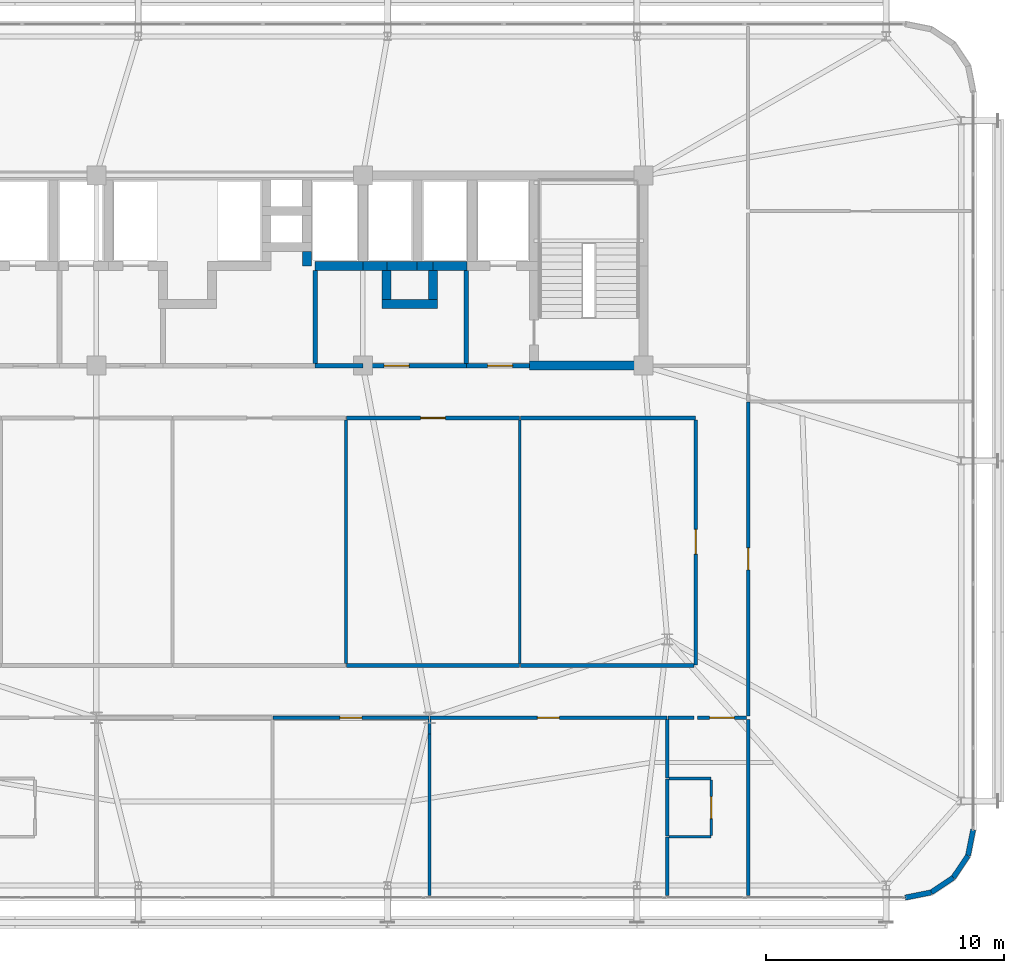
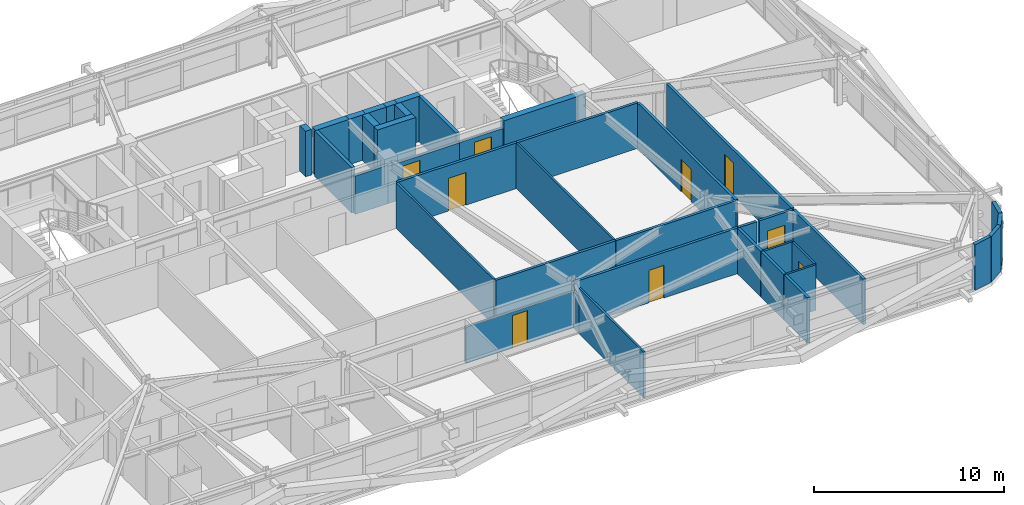
# One storey, part 54 of 58: 40 walls, 9 doors, 9 openings.
"""IFC4 building model written with IfcOpenShell, lengths in metres."""

from ifc_helpers import new_model, si_unit, direction, frame, frame_2d, origin, place, context, subcontext, project, spatial, rectangle, extrude, source, transform, mapped, material, layer, layer_set, type_object, element, fill, save


model = new_model("IFC4")

# Units and contexts
model_context = context("Model", 3, precision=1e-05, world=origin(), true_north=direction((0.0, 1.0)))
body_context = subcontext(model_context, "Body", "Model", "MODEL_VIEW")
ifc_project = project(units=[si_unit("LENGTHUNIT", "METRE"), si_unit("AREAUNIT", "SQUARE_METRE"), si_unit("VOLUMEUNIT", "CUBIC_METRE"), si_unit("PLANEANGLEUNIT", "RADIAN"), si_unit("MASSUNIT", "GRAM", prefix="KILO")], contexts=[model_context])

# Site, building, storey
site_placement = place(None, origin())
site = spatial("IfcSite", under=ifc_project, at=site_placement, CompositionType="ELEMENT")
building_placement = place(site_placement, origin())
building = spatial("IfcBuilding", under=site, at=building_placement, Name="Taldren Reach Tower", CompositionType="ELEMENT")
storey_placement = place(building_placement, frame((0.0, 0.0, 35.699951171875)))
storey = spatial("IfcBuildingStorey", under=building, at=storey_placement, Name="L10", CompositionType="ELEMENT", Elevation=35.699951171875)

# Walls
ifc_material_1 = material(Name="Pale Champagne Anodised Aluminium Cladding", Category="aluminium")
ifc_layer_1 = layer(ifc_material_1, 0.04, Name="Pale Champagne Anodised Aluminium Cladding", Category="aluminium")
ifc_material_2 = material(Name="Mineral Wool Acoustic Insulation", Category="insulation")
ifc_layer_2 = layer(ifc_material_2, 0.06, Name="Mineral Wool Acoustic Insulation", Category="insulation")
ifc_material_3 = material(Name="Steel Gr 350 (C350L0)", Category="steel")
ifc_layer_3 = layer(ifc_material_3, 0.12, Name="Steel Gr 350 (C350L0)", Category="steel")
ifc_layer_set_1 = layer_set([ifc_layer_1, ifc_layer_2, ifc_layer_3], Name="Pale Champagne Aluminium Cladding and Steel Gr 350 Stud Framing")
wall_type_1 = type_object("IfcWallType", Name="EW-CRN-220", PredefinedType="SOLIDWALL", material=ifc_layer_set_1)
shared_shape_1 = source(origin(), body_context, "Body", "SweptSolid", [
    extrude(rectangle(XDim=1.115966796875, YDim=0.219970703125, at=frame_2d((0.55810546875, 0.0))), origin(), (0.0, 0.0, 1.0), 2.929931640625),
])
for number, where, z_axis, x_axis, name in (
    (1, (62.0, 1.639892578125, 0.0), (0.0, 0.0, 1.0), (0.98077373103, 0.195148375659, 0.0), "Rounded-corner pale-metal facade wall L10-SE1"),
    (2, (63.094482421875, 1.857666015625, 0.0), (0.0, 0.0, 1.0), (0.83137650226, 0.555709556774, 0.0), "Rounded-corner pale-metal facade wall L10-SE2"),
    (3, (64.022216796875, 2.477783203125, 0.0), (0.0, 0.0, 1.0), (0.555709556774, 0.83137650226, 0.0), "Rounded-corner pale-metal facade wall L10-SE3"),
    (4, (64.642333984375, 3.405517578125, 0.0), (0.0, 0.0, 1.0), (0.195148375659, 0.98077373103, 0.0), "Rounded-corner pale-metal facade wall L10-SE4"),
):
    element("IfcWall", number, at=place(storey_placement, frame(where, z_axis=z_axis, x_axis=x_axis)), inside=storey, type_object=wall_type_1, Name=name, PredefinedType="SOLIDWALL", context=body_context, shape_type="MappedRepresentation", body=[
        mapped(shared_shape_1, transform((0.0, 0.0, 0.0), scale=1.0)),
    ])
ifc_material_4 = material(Name="Concrete S80 (80 MPa)", Category="concrete")
ifc_layer_4 = layer(ifc_material_4, 0.3798828125)
ifc_layer_set_2 = layer_set([ifc_layer_4], Name="Concrete S80 (80 MPa)")
wall_type_2 = type_object("IfcWallType", Name="IW-CORE-380", PredefinedType="SHEAR", material=ifc_layer_set_2)
shared_shape_2 = source(origin(), body_context, "Body", "SweptSolid", [
    extrude(rectangle(XDim=4.97998046875, YDim=0.3798828125, at=frame_2d((2.489990234375, 0.0))), origin(), (0.0, 0.0, 1.0), 2.929931640625),
])
wall_1_placement = place(storey_placement, frame((46.2099609375, 24.0, 0.0), z_axis=(0.0, 0.0, 1.0), x_axis=(1.0, 0.0, 0.0)))
element("IfcWall", 5, at=wall_1_placement, inside=storey, type_object=wall_type_2, Name="Rear Core Shear Wall W-INT-L10-010", PredefinedType="SHEAR", context=body_context, shape_type="MappedRepresentation", body=[
    mapped(shared_shape_2, transform((0.0, 0.0, 0.0), scale=1.0)),
])
ifc_material_5 = material(Name="Concrete S50 (50 MPa)", Category="concrete")
ifc_layer_5 = layer(ifc_material_5, 0.199951171875)
ifc_layer_set_3 = layer_set([ifc_layer_5], Name="Concrete S50 (50 MPa)")
wall_type_3 = type_object("IfcWallType", Name="IW-CORE-200", PredefinedType="SOLIDWALL", material=ifc_layer_set_3)
shared_shape_3 = source(origin(), body_context, "Body", "SweptSolid", [
    extrude(rectangle(XDim=3.909912109375, YDim=0.199951171875, at=frame_2d((1.955078125, 0.0))), origin(), (0.0, 0.0, 1.0), 2.929931640625),
])
for number, where, z_axis, x_axis, name in (
    (6, (43.550048828125, 28.010009765625, 0.0), (0.0, 0.0, 1.0), (0.0, -1.0, 0.0), "Rear Core Shear Wall W-INT-L10-013"),
    (7, (37.199951171875, 28.010009765625, 0.0), (0.0, 0.0, 1.0), (0.0, -1.0, 0.0), "Rear Core Shear Wall W-INT-L10-042"),
):
    element("IfcWall", number, at=place(storey_placement, frame(where, z_axis=z_axis, x_axis=x_axis)), inside=storey, type_object=wall_type_3, Name=name, PredefinedType="SOLIDWALL", context=body_context, shape_type="MappedRepresentation", body=[
        mapped(shared_shape_3, transform((0.0, 0.0, 0.0), scale=1.0)),
    ])

# Wall, opening, door
shared_shape_4 = source(origin(), body_context, "Body", "SweptSolid", [
    extrude(rectangle(XDim=2.659912109375, YDim=0.199951171875, at=frame_2d((1.330078125, 0.0))), origin(), (0.0, 0.0, 1.0), 2.39697265625),
])
wall_2_placement = place(storey_placement, frame((43.550048828125, 24.0, 0.0), z_axis=(0.0, 0.0, 1.0), x_axis=(1.0, 0.0, 0.0)))
wall_2 = element("IfcWall", 8, at=wall_2_placement, inside=storey, type_object=wall_type_3, Name="Rear Core Shear Wall W-INT-L10-014", PredefinedType="SOLIDWALL", context=body_context, shape_type="MappedRepresentation", body=[
    mapped(shared_shape_4, transform((0.0, 0.0, 0.0), scale=1.0)),
])
shared_shape_5 = source(origin(), body_context, "Body", "SweptSolid", [
    extrude(rectangle(XDim=1.050048828125, YDim=2.10009765625, at=frame_2d((0.52490234375, 1.050048828125))), frame((0.0, 0.10986328125, 0.0), z_axis=(0.0, -1.0, 0.0), x_axis=(1.0, 0.0, 0.0)), (0.0, 0.0, 1.0), 0.219970703125),
])
opening_1_placement = place(wall_2_placement, frame((0.89990234375, 0.0, 0.0)))
opening_1 = element("IfcOpeningElement", 9, at=opening_1_placement, cuts=wall_2, Name="Opening DF-105", PredefinedType="OPENING", context=body_context, shape_type="MappedRepresentation", body=[
    mapped(shared_shape_5, transform((0.0, 0.0, 0.0), scale=1.0)),
])
ifc_material_6 = material(Name="Fire-Rated Care and Stair Exit Door")
door_type_1 = type_object("IfcDoorType", Name="ID-FIRE-105", OperationType="NOTDEFINED", PredefinedType="DOOR", material=ifc_material_6)
shared_shape_6 = source(origin(), body_context, "Body", "SweptSolid", [
    extrude(rectangle(XDim=1.050048828125, YDim=2.10009765625, at=frame_2d((0.52490234375, 1.050048828125))), frame((0.0, 0.02490234375, 0.0), z_axis=(0.0, -1.0, 0.0), x_axis=(1.0, 0.0, 0.0)), (0.0, 0.0, 1.0), 0.050048828125),
])
door_1_placement = place(opening_1_placement, origin())
door_1 = element("IfcDoor", 10, at=door_1_placement, inside=storey, type_object=door_type_1, Name="Interior Door DR-L10-004", OperationType="SINGLE_SWING_LEFT", OverallHeight=2.10009765625, OverallWidth=1.050048828125, PredefinedType="DOOR", context=body_context, shape_type="MappedRepresentation", body=[
    mapped(shared_shape_6, transform((0.0, 0.0, 0.0), scale=1.0)),
])
fill(opening_1, door_1)

# Walls
shared_shape_7 = source(origin(), body_context, "Body", "SweptSolid", [
    extrude(rectangle(XDim=1.219970703125, YDim=0.3798828125, at=frame_2d((0.60986328125, 0.0))), origin(), (0.0, 0.0, 1.0), 2.929931640625),
])
for number, where, z_axis, x_axis, name in (
    (11, (40.199951171875, 28.010009765625, 0.0), (0.0, 0.0, 1.0), (0.0, -1.0, 0.0), "Rear Core Shear Wall W-INT-L10-027"),
    (12, (42.14990234375, 26.7900390625, 0.0), (0.0, 0.0, 1.0), (0.0, 1.0, 0.0), "Rear Core Shear Wall W-INT-L10-028"),
):
    element("IfcWall", number, at=place(storey_placement, frame(where, z_axis=z_axis, x_axis=x_axis)), inside=storey, type_object=wall_type_2, Name=name, PredefinedType="SHEAR", context=body_context, shape_type="MappedRepresentation", body=[
        mapped(shared_shape_7, transform((0.0, 0.0, 0.0), scale=1.0)),
    ])
shared_shape_8 = source(origin(), body_context, "Body", "SweptSolid", [
    extrude(rectangle(XDim=1.320068359375, YDim=0.3798828125, at=frame_2d((0.66015625, 0.0))), origin(), (0.0, 0.0, 1.0), 2.929931640625),
])
wall_3_placement = place(storey_placement, frame((41.52001953125, 28.199951171875, 0.0), z_axis=(0.0, 0.0, 1.0), x_axis=(-1.0, 0.0, 0.0)))
element("IfcWall", 13, at=wall_3_placement, inside=storey, type_object=wall_type_2, Name="Rear Core Shear Wall W-INT-L10-024", PredefinedType="SHEAR", context=body_context, shape_type="MappedRepresentation", body=[
    mapped(shared_shape_8, transform((0.0, 0.0, 0.0), scale=1.0)),
])
shared_shape_9 = source(origin(), body_context, "Body", "SweptSolid", [
    extrude(rectangle(XDim=0.669921875, YDim=0.3798828125, at=frame_2d((0.3349609375, 0.0))), origin(), (0.0, 0.0, 1.0), 2.929931640625),
])
wall_4_placement = place(storey_placement, frame((42.14990234375, 28.199951171875, 0.0), z_axis=(0.0, 0.0, 1.0), x_axis=(-1.0, 0.0, 0.0)))
element("IfcWall", 14, at=wall_4_placement, inside=storey, type_object=wall_type_2, Name="Rear Core Shear Wall W-INT-L10-025", PredefinedType="SHEAR", context=body_context, shape_type="MappedRepresentation", body=[
    mapped(shared_shape_9, transform((0.0, 0.0, 0.0), scale=1.0)),
])
shared_shape_10 = source(origin(), body_context, "Body", "SweptSolid", [
    extrude(rectangle(XDim=2.330078125, YDim=0.3798828125, at=frame_2d((1.1650390625, 0.0))), origin(), (0.0, 0.0, 1.0), 2.929931640625),
])
wall_5_placement = place(storey_placement, frame((40.010009765625, 26.60009765625, 0.0), z_axis=(0.0, 0.0, 1.0), x_axis=(1.0, 0.0, 0.0)))
element("IfcWall", 15, at=wall_5_placement, inside=storey, type_object=wall_type_2, Name="Rear Core Shear Wall W-INT-L10-026", PredefinedType="SHEAR", context=body_context, shape_type="MappedRepresentation", body=[
    mapped(shared_shape_10, transform((0.0, 0.0, 0.0), scale=1.0)),
])
shared_shape_11 = source(origin(), body_context, "Body", "SweptSolid", [
    extrude(rectangle(XDim=0.610107421875, YDim=0.3798828125, at=frame_2d((0.30517578125, 0.0))), origin(), (0.0, 0.0, 1.0), 2.929931640625),
])
wall_6_placement = place(storey_placement, frame((36.85009765625, 28.81005859375, 0.0), z_axis=(0.0, 0.0, 1.0), x_axis=(0.0, -1.0, 0.0)))
element("IfcWall", 16, at=wall_6_placement, inside=storey, type_object=wall_type_2, Name="Rear Core Shear Wall W-INT-L10-037", PredefinedType="SHEAR", context=body_context, shape_type="MappedRepresentation", body=[
    mapped(shared_shape_11, transform((0.0, 0.0, 0.0), scale=1.0)),
])
shared_shape_12 = source(origin(), body_context, "Body", "SweptSolid", [
    extrude(rectangle(XDim=2.02001953125, YDim=0.3798828125, at=frame_2d((1.010009765625, 0.0))), origin(), (0.0, 0.0, 1.0), 2.929931640625),
])
wall_7_placement = place(storey_placement, frame((37.179931640625, 28.199951171875, 0.0), z_axis=(0.0, 0.0, 1.0), x_axis=(1.0, 0.0, 0.0)))
element("IfcWall", 17, at=wall_7_placement, inside=storey, type_object=wall_type_2, Name="Rear Core Shear Wall W-INT-L10-038", PredefinedType="SHEAR", context=body_context, shape_type="MappedRepresentation", body=[
    mapped(shared_shape_12, transform((0.0, 0.0, 0.0), scale=1.0)),
])
shared_shape_13 = source(origin(), body_context, "Body", "SweptSolid", [
    extrude(rectangle(XDim=1.02001953125, YDim=0.3798828125, at=frame_2d((0.510009765625, 0.0))), origin(), (0.0, 0.0, 1.0), 2.929931640625),
])
wall_8_placement = place(storey_placement, frame((39.199951171875, 28.199951171875, 0.0), z_axis=(0.0, 0.0, 1.0), x_axis=(1.0, 0.0, 0.0)))
element("IfcWall", 18, at=wall_8_placement, inside=storey, type_object=wall_type_2, Name="Rear Core Shear Wall W-INT-L10-040", PredefinedType="SHEAR", context=body_context, shape_type="MappedRepresentation", body=[
    mapped(shared_shape_13, transform((0.0, 0.0, 0.0), scale=1.0)),
])
shared_shape_14 = source(origin(), body_context, "Body", "SweptSolid", [
    extrude(rectangle(XDim=1.440185546875, YDim=0.3798828125, at=frame_2d((0.72021484375, 0.0))), origin(), (0.0, 0.0, 1.0), 2.929931640625),
])
wall_9_placement = place(storey_placement, frame((42.1298828125, 28.199951171875, 0.0), z_axis=(0.0, 0.0, 1.0), x_axis=(1.0, 0.0, 0.0)))
element("IfcWall", 19, at=wall_9_placement, inside=storey, type_object=wall_type_2, Name="Rear Core Shear Wall W-INT-L10-041", PredefinedType="SHEAR", context=body_context, shape_type="MappedRepresentation", body=[
    mapped(shared_shape_14, transform((0.0, 0.0, 0.0), scale=1.0)),
])

# Wall, opening, door
shared_shape_15 = source(origin(), body_context, "Body", "SweptSolid", [
    extrude(rectangle(XDim=4.35009765625, YDim=0.199951171875, at=frame_2d((2.175048828125, 0.0))), origin(), (0.0, 0.0, 1.0), 2.39697265625),
])
wall_10_placement = place(storey_placement, frame((43.550048828125, 24.0, 0.0), z_axis=(0.0, 0.0, 1.0), x_axis=(-1.0, 0.0, 0.0)))
wall_10 = element("IfcWall", 20, at=wall_10_placement, inside=storey, type_object=wall_type_3, Name="Rear Core Shear Wall W-INT-L10-044", PredefinedType="SOLIDWALL", context=body_context, shape_type="MappedRepresentation", body=[
    mapped(shared_shape_15, transform((0.0, 0.0, 0.0), scale=1.0)),
])
opening_2_placement = place(wall_10_placement, frame((2.39990234375, 0.0, 0.0)))
opening_2 = element("IfcOpeningElement", 21, at=opening_2_placement, cuts=wall_10, Name="Opening DF-105", PredefinedType="OPENING", context=body_context, shape_type="MappedRepresentation", body=[
    mapped(shared_shape_5, transform((0.0, 0.0, 0.0), scale=1.0)),
])
door_2_placement = place(opening_2_placement, frame((1.050048828125, 0.0, 0.0), z_axis=(0.0, 0.0, 1.0), x_axis=(-1.0, 0.0, 0.0)))
door_2 = element("IfcDoor", 22, at=door_2_placement, inside=storey, type_object=door_type_1, Name="Interior Door DR-L10-007", OperationType="SINGLE_SWING_RIGHT", OverallHeight=2.10009765625, OverallWidth=1.050048828125, PredefinedType="DOOR", context=body_context, shape_type="MappedRepresentation", body=[
    mapped(shared_shape_6, transform((0.0, 0.0, 0.0), scale=1.0)),
])
fill(opening_2, door_2)

# Wall
shared_shape_16 = source(origin(), body_context, "Body", "SweptSolid", [
    extrude(rectangle(XDim=2.0, YDim=0.199951171875, at=frame_2d((1.0, 0.0))), origin(), (0.0, 0.0, 1.0), 2.469970703125),
])
wall_11_placement = place(storey_placement, frame((39.199951171875, 24.0, 0.0), z_axis=(0.0, 0.0, 1.0), x_axis=(-1.0, 0.0, 0.0)))
element("IfcWall", 23, at=wall_11_placement, inside=storey, type_object=wall_type_3, Name="Rear Core Shear Wall W-INT-L10-044 part 2", PredefinedType="SOLIDWALL", context=body_context, shape_type="MappedRepresentation", body=[
    mapped(shared_shape_16, transform((0.0, 0.0, 0.0), scale=1.0)),
])

# Wall, opening, door
ifc_material_7 = material(Name="Fire-Rated Acoustic Plasterboard Stud Wall", Category="gypsum")
ifc_layer_6 = layer(ifc_material_7, 0.159912109375)
ifc_layer_set_4 = layer_set([ifc_layer_6], Name="Fire-Rated Acoustic Plasterboard Stud Wall")
wall_type_4 = type_object("IfcWallType", Name="IW-FIRE-160", PredefinedType="PARTITIONING", material=ifc_layer_set_4)
shared_shape_17 = source(origin(), body_context, "Body", "SweptSolid", [
    extrude(rectangle(XDim=10.2998046875, YDim=0.159912109375, at=frame_2d((5.14990234375, 0.0))), origin(), (0.0, 0.0, 1.0), 2.929931640625),
])
wall_12_placement = place(storey_placement, frame((53.199951171875, 11.420166015625, 0.0), z_axis=(0.0, 0.0, 1.0), x_axis=(0.0, 1.0, 0.0)))
wall_12 = element("IfcWall", 24, at=wall_12_placement, inside=storey, type_object=wall_type_4, Name="Interior Partition Wall W-INT-L10-050", PredefinedType="PARTITIONING", context=body_context, shape_type="MappedRepresentation", body=[
    mapped(shared_shape_17, transform((0.0, 0.0, 0.0), scale=1.0)),
])
shared_shape_18 = source(origin(), body_context, "Body", "SweptSolid", [
    extrude(rectangle(XDim=1.050048828125, YDim=2.10009765625, at=frame_2d((0.52490234375, 1.050048828125))), frame((0.0, 0.08984375, 0.0), z_axis=(0.0, -1.0, 0.0), x_axis=(1.0, 0.0, 0.0)), (0.0, 0.0, 1.0), 0.179931640625),
])
opening_3_placement = place(wall_12_placement, frame((4.65478515625, 0.0, 0.0)))
opening_3 = element("IfcOpeningElement", 25, at=opening_3_placement, cuts=wall_12, Name="Opening DF-105", PredefinedType="OPENING", context=body_context, shape_type="MappedRepresentation", body=[
    mapped(shared_shape_18, transform((0.0, 0.0, 0.0), scale=1.0)),
])
door_3_placement = place(opening_3_placement, origin())
door_3 = element("IfcDoor", 26, at=door_3_placement, inside=storey, type_object=door_type_1, Name="Interior Door DR-L10-012", OperationType="SINGLE_SWING_LEFT", OverallHeight=2.10009765625, OverallWidth=1.050048828125, PredefinedType="DOOR", context=body_context, shape_type="MappedRepresentation", body=[
    mapped(shared_shape_6, transform((0.0, 0.0, 0.0), scale=1.0)),
])
fill(opening_3, door_3)

shared_shape_19 = source(origin(), body_context, "Body", "SweptSolid", [
    extrude(rectangle(XDim=2.0400390625, YDim=0.159912109375, at=frame_2d((1.02001953125, 0.0))), origin(), (0.0, 0.0, 1.0), 2.929931640625),
])
wall_13_placement = place(storey_placement, frame((55.320068359375, 9.199951171875, 0.0), z_axis=(0.0, 0.0, 1.0), x_axis=(-1.0, 0.0, 0.0)))
wall_13 = element("IfcWall", 27, at=wall_13_placement, inside=storey, type_object=wall_type_4, Name="Interior Partition Wall W-INT-L10-053", PredefinedType="PARTITIONING", context=body_context, shape_type="MappedRepresentation", body=[
    mapped(shared_shape_19, transform((0.0, 0.0, 0.0), scale=1.0)),
])
opening_4_placement = place(wall_13_placement, frame((0.4951171875, 0.0, 0.0)))
opening_4 = element("IfcOpeningElement", 28, at=opening_4_placement, cuts=wall_13, Name="Opening DF-105", PredefinedType="OPENING", context=body_context, shape_type="MappedRepresentation", body=[
    mapped(shared_shape_18, transform((0.0, 0.0, 0.0), scale=1.0)),
])
door_4_placement = place(opening_4_placement, origin())
door_4 = element("IfcDoor", 29, at=door_4_placement, inside=storey, type_object=door_type_1, Name="Interior Door DR-L10-014", OperationType="SINGLE_SWING_LEFT", OverallHeight=2.10009765625, OverallWidth=1.050048828125, PredefinedType="DOOR", context=body_context, shape_type="MappedRepresentation", body=[
    mapped(shared_shape_6, transform((0.0, 0.0, 0.0), scale=1.0)),
])
fill(opening_4, door_4)

# Wall
shared_shape_20 = source(origin(), body_context, "Body", "SweptSolid", [
    extrude(rectangle(XDim=1.099853515625, YDim=0.159912109375, at=frame_2d((0.5498046875, 0.0))), origin(), (0.0, 0.0, 1.0), 2.929931640625),
])
wall_14_placement = place(storey_placement, frame((53.1201171875, 9.199951171875, 0.0), z_axis=(0.0, 0.0, 1.0), x_axis=(-1.0, 0.0, 0.0)))
element("IfcWall", 30, at=wall_14_placement, inside=storey, type_object=wall_type_4, Name="Interior Partition Wall W-INT-L10-073", PredefinedType="PARTITIONING", context=body_context, shape_type="MappedRepresentation", body=[
    mapped(shared_shape_20, transform((0.0, 0.0, 0.0), scale=1.0)),
])

# Wall, opening, door
ifc_material_8 = material(Name="Insulated Residential Stud Partition", Category="gypsum")
ifc_layer_7 = layer(ifc_material_8, 0.1201171875)
ifc_layer_set_5 = layer_set([ifc_layer_7], Name="Insulated Residential Stud Partition")
wall_type_5 = type_object("IfcWallType", Name="IW-PART-120", PredefinedType="PARTITIONING", material=ifc_layer_set_5)
shared_shape_21 = source(origin(), body_context, "Body", "SweptSolid", [
    extrude(rectangle(XDim=2.330078125, YDim=0.1201171875, at=frame_2d((1.1650390625, 0.0))), origin(), (0.0, 0.0, 1.0), 2.929931640625),
])
wall_15_placement = place(storey_placement, frame((53.85009765625, 4.260009765625, 0.0), z_axis=(0.0, 0.0, 1.0), x_axis=(0.0, 1.0, 0.0)))
wall_15 = element("IfcWall", 31, at=wall_15_placement, inside=storey, type_object=wall_type_5, Name="Interior Partition Wall W-INT-L10-097", PredefinedType="PARTITIONING", context=body_context, shape_type="MappedRepresentation", body=[
    mapped(shared_shape_21, transform((0.0, 0.0, 0.0), scale=1.0)),
])
shared_shape_22 = source(origin(), body_context, "Body", "SweptSolid", [
    extrude(rectangle(XDim=0.919921875, YDim=2.10009765625, at=frame_2d((0.4599609375, 1.050048828125))), frame((0.0, 0.070068359375, 0.0), z_axis=(0.0, -1.0, 0.0), x_axis=(1.0, 0.0, 0.0)), (0.0, 0.0, 1.0), 0.14013671875),
])
opening_5_placement = place(wall_15_placement, frame((0.705078125, 0.0, 0.0)))
opening_5 = element("IfcOpeningElement", 32, at=opening_5_placement, cuts=wall_15, Name="Opening DI-092", PredefinedType="OPENING", context=body_context, shape_type="MappedRepresentation", body=[
    mapped(shared_shape_22, transform((0.0, 0.0, 0.0), scale=1.0)),
])
ifc_material_9 = material(Name="Solid-Core Timber Suite Door", Category="wood")
door_type_2 = type_object("IfcDoorType", Name="ID-INT-092", OperationType="NOTDEFINED", PredefinedType="DOOR", material=ifc_material_9)
shared_shape_23 = source(origin(), body_context, "Body", "SweptSolid", [
    extrude(rectangle(XDim=0.919921875, YDim=2.10009765625, at=frame_2d((0.4599609375, 1.050048828125))), frame((0.0, 0.02490234375, 0.0), z_axis=(0.0, -1.0, 0.0), x_axis=(1.0, 0.0, 0.0)), (0.0, 0.0, 1.0), 0.050048828125),
])
door_5_placement = place(opening_5_placement, origin())
door_5 = element("IfcDoor", 33, at=door_5_placement, inside=storey, type_object=door_type_2, Name="Interior Door DR-L10-029", OperationType="SINGLE_SWING_RIGHT", OverallHeight=2.10009765625, OverallWidth=0.919921875, PredefinedType="DOOR", context=body_context, shape_type="MappedRepresentation", body=[
    mapped(shared_shape_23, transform((0.0, 0.0, 0.0), scale=1.0)),
])
fill(opening_5, door_5)

# Walls
shared_shape_24 = source(origin(), body_context, "Body", "SweptSolid", [
    extrude(rectangle(XDim=1.749755859375, YDim=0.1201171875, at=frame_2d((0.875, 0.0))), origin(), (0.0, 0.0, 1.0), 2.929931640625),
])
for number, where, z_axis, x_axis, name in (
    (34, (52.080078125, 4.199951171875, 0.0), (0.0, 0.0, 1.0), (1.0, 0.0, 0.0), "Interior Partition Wall W-INT-L10-098"),
    (35, (53.829833984375, 6.64990234375, 0.0), (0.0, 0.0, 1.0), (-1.0, 0.0, 0.0), "Interior Partition Wall W-INT-L10-099"),
):
    element("IfcWall", number, at=place(storey_placement, frame(where, z_axis=z_axis, x_axis=x_axis)), inside=storey, type_object=wall_type_5, Name=name, PredefinedType="PARTITIONING", context=body_context, shape_type="MappedRepresentation", body=[
        mapped(shared_shape_24, transform((0.0, 0.0, 0.0), scale=1.0)),
    ])
shared_shape_25 = source(origin(), body_context, "Body", "SweptSolid", [
    extrude(rectangle(XDim=2.40966796875, YDim=0.159912109375, at=frame_2d((1.204833984375, 0.0))), origin(), (0.0, 0.0, 1.0), 2.929931640625),
])
wall_16_placement = place(storey_placement, frame((52.0, 6.6298828125, 0.0), z_axis=(0.0, 0.0, 1.0), x_axis=(0.0, -1.0, 0.0)))
element("IfcWall", 36, at=wall_16_placement, inside=storey, type_object=wall_type_4, Name="Interior Partition Wall W-INT-L10-096", PredefinedType="PARTITIONING", context=body_context, shape_type="MappedRepresentation", body=[
    mapped(shared_shape_25, transform((0.0, 0.0, 0.0), scale=1.0)),
])
shared_shape_26 = source(origin(), body_context, "Body", "SweptSolid", [
    extrude(rectangle(XDim=7.385986328125, YDim=0.159912109375, at=frame_2d((3.69287109375, 0.0))), origin(), (0.0, 0.0, 1.0), 2.929931640625),
])
wall_17_placement = place(storey_placement, frame((55.39990234375, 9.117919921875, 0.0), z_axis=(0.0, 0.0, 1.0), x_axis=(0.0, -1.0, 0.0)))
element("IfcWall", 37, at=wall_17_placement, inside=storey, type_object=wall_type_4, Name="Interior Partition Wall W-INT-L10-100", PredefinedType="PARTITIONING", context=body_context, shape_type="MappedRepresentation", body=[
    mapped(shared_shape_26, transform((0.0, 0.0, 0.0), scale=1.0)),
])
shared_shape_27 = source(origin(), body_context, "Body", "SweptSolid", [
    extrude(rectangle(XDim=2.44970703125, YDim=0.159912109375, at=frame_2d((1.224853515625, 0.0))), origin(), (0.0, 0.0, 1.0), 2.929931640625),
])
wall_18_placement = place(storey_placement, frame((52.0, 4.1796875, 0.0), z_axis=(0.0, 0.0, 1.0), x_axis=(0.0, -1.0, 0.0)))
element("IfcWall", 38, at=wall_18_placement, inside=storey, type_object=wall_type_4, Name="Interior Partition Wall W-INT-L10-094", PredefinedType="PARTITIONING", context=body_context, shape_type="MappedRepresentation", body=[
    mapped(shared_shape_27, transform((0.0, 0.0, 0.0), scale=1.0)),
])
shared_shape_28 = source(origin(), body_context, "Body", "SweptSolid", [
    extrude(rectangle(XDim=2.449951171875, YDim=0.159912109375, at=frame_2d((1.22509765625, 0.0))), origin(), (0.0, 0.0, 1.0), 2.929931640625),
])
wall_19_placement = place(storey_placement, frame((52.0, 9.1201171875, 0.0), z_axis=(0.0, 0.0, 1.0), x_axis=(0.0, -1.0, 0.0)))
element("IfcWall", 39, at=wall_19_placement, inside=storey, type_object=wall_type_4, Name="Interior Partition Wall W-INT-L10-095", PredefinedType="PARTITIONING", context=body_context, shape_type="MappedRepresentation", body=[
    mapped(shared_shape_28, transform((0.0, 0.0, 0.0), scale=1.0)),
])

# Wall, opening, door
shared_shape_29 = source(origin(), body_context, "Body", "SweptSolid", [
    extrude(rectangle(XDim=9.95947265625, YDim=0.159912109375, at=frame_2d((4.979736328125, 0.0))), origin(), (0.0, 0.0, 1.0), 2.929931640625),
])
wall_20_placement = place(storey_placement, frame((51.979736328125, 9.199951171875, 0.0), z_axis=(0.0, 0.0, 1.0), x_axis=(-1.0, 0.0, 0.0)))
wall_20 = element("IfcWall", 40, at=wall_20_placement, inside=storey, type_object=wall_type_4, Name="Interior Partition Wall W-INT-L10-072", PredefinedType="PARTITIONING", context=body_context, shape_type="MappedRepresentation", body=[
    mapped(shared_shape_29, transform((0.0, 0.0, 0.0), scale=1.0)),
])
shared_shape_30 = source(origin(), body_context, "Body", "SweptSolid", [
    extrude(rectangle(XDim=0.919921875, YDim=2.10009765625, at=frame_2d((0.4599609375, 1.050048828125))), frame((0.0, 0.08984375, 0.0), z_axis=(0.0, -1.0, 0.0), x_axis=(1.0, 0.0, 0.0)), (0.0, 0.0, 1.0), 0.179931640625),
])
opening_6_placement = place(wall_20_placement, frame((4.519775390625, 0.0, 0.0)))
opening_6 = element("IfcOpeningElement", 41, at=opening_6_placement, cuts=wall_20, Name="Opening DI-092", PredefinedType="OPENING", context=body_context, shape_type="MappedRepresentation", body=[
    mapped(shared_shape_30, transform((0.0, 0.0, 0.0), scale=1.0)),
])
door_6_placement = place(opening_6_placement, origin())
door_6 = element("IfcDoor", 42, at=door_6_placement, inside=storey, type_object=door_type_2, Name="Interior Door DR-L10-026", OperationType="SINGLE_SWING_LEFT", OverallHeight=2.10009765625, OverallWidth=0.919921875, PredefinedType="DOOR", context=body_context, shape_type="MappedRepresentation", body=[
    mapped(shared_shape_23, transform((0.0, 0.0, 0.0), scale=1.0)),
])
fill(opening_6, door_6)

# Walls
shared_shape_31 = source(origin(), body_context, "Body", "SweptSolid", [
    extrude(rectangle(XDim=0.591796875, YDim=0.1201171875, at=frame_2d((0.2958984375, 0.0))), origin(), (0.0, 0.0, 1.0), 2.39697265625),
])
wall_21_placement = place(storey_placement, frame((42.0, 9.1201171875, 0.0), z_axis=(0.0, 0.0, 1.0), x_axis=(0.0, -1.0, 0.0)))
element("IfcWall", 43, at=wall_21_placement, inside=storey, type_object=wall_type_5, Name="Interior Partition Wall W-INT-L10-093", PredefinedType="PARTITIONING", context=body_context, shape_type="MappedRepresentation", body=[
    mapped(shared_shape_31, transform((0.0, 0.0, 0.0), scale=1.0)),
])
shared_shape_32 = source(origin(), body_context, "Body", "SweptSolid", [
    extrude(rectangle(XDim=6.79833984375, YDim=0.1201171875, at=frame_2d((3.399169921875, 0.0))), origin(), (0.0, 0.0, 1.0), 2.929931640625),
])
wall_22_placement = place(storey_placement, frame((42.0, 8.5283203125, 0.0), z_axis=(0.0, 0.0, 1.0), x_axis=(0.0, -1.0, 0.0)))
element("IfcWall", 44, at=wall_22_placement, inside=storey, type_object=wall_type_5, Name="Interior Partition Wall W-INT-L10-093 part 2", PredefinedType="PARTITIONING", context=body_context, shape_type="MappedRepresentation", body=[
    mapped(shared_shape_32, transform((0.0, 0.0, 0.0), scale=1.0)),
])

# Wall, opening, door
shared_shape_33 = source(origin(), body_context, "Body", "SweptSolid", [
    extrude(rectangle(XDim=7.259521484375, YDim=0.159912109375, at=frame_2d((3.6298828125, 0.0))), origin(), (0.0, 0.0, 1.0), 2.929931640625),
])
wall_23_placement = place(storey_placement, frame((45.77978515625, 21.800048828125, 0.0), z_axis=(0.0, 0.0, 1.0), x_axis=(-1.0, 0.0, 0.0)))
wall_23 = element("IfcWall", 45, at=wall_23_placement, inside=storey, type_object=wall_type_4, Name="Interior Partition Wall W-INT-L10-049", PredefinedType="PARTITIONING", context=body_context, shape_type="MappedRepresentation", body=[
    mapped(shared_shape_33, transform((0.0, 0.0, 0.0), scale=1.0)),
])
opening_7_placement = place(wall_23_placement, frame((3.104736328125, 0.0, 0.0)))
opening_7 = element("IfcOpeningElement", 46, at=opening_7_placement, cuts=wall_23, Name="Opening DF-105", PredefinedType="OPENING", context=body_context, shape_type="MappedRepresentation", body=[
    mapped(shared_shape_18, transform((0.0, 0.0, 0.0), scale=1.0)),
])
door_7_placement = place(opening_7_placement, origin())
door_7 = element("IfcDoor", 47, at=door_7_placement, inside=storey, type_object=door_type_1, Name="Interior Door DR-L10-011", OperationType="SINGLE_SWING_RIGHT", OverallHeight=2.10009765625, OverallWidth=1.050048828125, PredefinedType="DOOR", context=body_context, shape_type="MappedRepresentation", body=[
    mapped(shared_shape_6, transform((0.0, 0.0, 0.0), scale=1.0)),
])
fill(opening_7, door_7)

# Walls
wall_24_placement = place(storey_placement, frame((38.520263671875, 11.39990234375, 0.0), z_axis=(0.0, 0.0, 1.0), x_axis=(1.0, 0.0, 0.0)))
element("IfcWall", 48, at=wall_24_placement, inside=storey, type_object=wall_type_4, Name="Interior Partition Wall W-INT-L10-065", PredefinedType="PARTITIONING", context=body_context, shape_type="MappedRepresentation", body=[
    mapped(shared_shape_33, transform((0.0, 0.0, 0.0), scale=1.0)),
])
shared_shape_34 = source(origin(), body_context, "Body", "SweptSolid", [
    extrude(rectangle(XDim=7.359375, YDim=0.159912109375, at=frame_2d((3.6796875, 0.0))), origin(), (0.0, 0.0, 1.0), 2.929931640625),
])
wall_25_placement = place(storey_placement, frame((53.1796875, 21.800048828125, 0.0), z_axis=(0.0, 0.0, 1.0), x_axis=(-1.0, 0.0, 0.0)))
element("IfcWall", 49, at=wall_25_placement, inside=storey, type_object=wall_type_4, Name="Interior Partition Wall W-INT-L10-051", PredefinedType="PARTITIONING", context=body_context, shape_type="MappedRepresentation", body=[
    mapped(shared_shape_34, transform((0.0, 0.0, 0.0), scale=1.0)),
])

# Wall, opening, door
shared_shape_35 = source(origin(), body_context, "Body", "SweptSolid", [
    extrude(rectangle(XDim=13.19970703125, YDim=0.159912109375, at=frame_2d((6.599853515625, 0.0))), origin(), (0.0, 0.0, 1.0), 2.929931640625),
])
wall_26_placement = place(storey_placement, frame((55.39990234375, 22.479736328125, 0.0), z_axis=(0.0, 0.0, 1.0), x_axis=(0.0, -1.0, 0.0)))
wall_26 = element("IfcWall", 50, at=wall_26_placement, inside=storey, type_object=wall_type_4, Name="Interior Partition Wall W-INT-L10-058", PredefinedType="PARTITIONING", context=body_context, shape_type="MappedRepresentation", body=[
    mapped(shared_shape_35, transform((0.0, 0.0, 0.0), scale=1.0)),
])
opening_8_placement = place(wall_26_placement, frame((6.139892578125, 0.0, 0.0)))
opening_8 = element("IfcOpeningElement", 51, at=opening_8_placement, cuts=wall_26, Name="Opening DI-092", PredefinedType="OPENING", context=body_context, shape_type="MappedRepresentation", body=[
    mapped(shared_shape_30, transform((0.0, 0.0, 0.0), scale=1.0)),
])
door_8_placement = place(opening_8_placement, origin())
door_8 = element("IfcDoor", 52, at=door_8_placement, inside=storey, type_object=door_type_2, Name="Interior Door DR-L10-019", OperationType="SINGLE_SWING_RIGHT", OverallHeight=2.10009765625, OverallWidth=0.919921875, PredefinedType="DOOR", context=body_context, shape_type="MappedRepresentation", body=[
    mapped(shared_shape_23, transform((0.0, 0.0, 0.0), scale=1.0)),
])
fill(opening_8, door_8)

# Walls
shared_shape_36 = source(origin(), body_context, "Body", "SweptSolid", [
    extrude(rectangle(XDim=7.2998046875, YDim=0.159912109375, at=frame_2d((3.64990234375, 0.0))), origin(), (0.0, 0.0, 1.0), 2.929931640625),
])
wall_27_placement = place(storey_placement, frame((45.8203125, 11.39990234375, 0.0), z_axis=(0.0, 0.0, 1.0), x_axis=(1.0, 0.0, 0.0)))
element("IfcWall", 53, at=wall_27_placement, inside=storey, type_object=wall_type_4, Name="Interior Partition Wall W-INT-L10-066", PredefinedType="PARTITIONING", context=body_context, shape_type="MappedRepresentation", body=[
    mapped(shared_shape_36, transform((0.0, 0.0, 0.0), scale=1.0)),
])
shared_shape_37 = source(origin(), body_context, "Body", "SweptSolid", [
    extrude(rectangle(XDim=10.239990234375, YDim=0.1201171875, at=frame_2d((5.1201171875, 0.0))), origin(), (0.0, 0.0, 1.0), 2.929931640625),
])
for number, where, z_axis, x_axis, name in (
    (54, (38.5, 21.719970703125, 0.0), (0.0, 0.0, 1.0), (0.0, -1.0, 0.0), "Interior Partition Wall W-INT-L10-076"),
    (55, (45.800048828125, 21.719970703125, 0.0), (0.0, 0.0, 1.0), (0.0, -1.0, 0.0), "Interior Partition Wall W-INT-L10-077"),
):
    element("IfcWall", number, at=place(storey_placement, frame(where, z_axis=z_axis, x_axis=x_axis)), inside=storey, type_object=wall_type_5, Name=name, PredefinedType="PARTITIONING", context=body_context, shape_type="MappedRepresentation", body=[
        mapped(shared_shape_37, transform((0.0, 0.0, 0.0), scale=1.0)),
    ])

# Wall, opening, door
shared_shape_38 = source(origin(), body_context, "Body", "SweptSolid", [
    extrude(rectangle(XDim=6.5595703125, YDim=0.159912109375, at=frame_2d((3.27978515625, 0.0))), origin(), (0.0, 0.0, 1.0), 2.328125),
])
wall_28_placement = place(storey_placement, frame((41.979736328125, 9.199951171875, 0.0), z_axis=(0.0, 0.0, 1.0), x_axis=(-1.0, 0.0, 0.0)))
wall_28 = element("IfcWall", 56, at=wall_28_placement, inside=storey, type_object=wall_type_4, Name="Interior Partition Wall W-INT-L10-071", PredefinedType="PARTITIONING", context=body_context, shape_type="MappedRepresentation", body=[
    mapped(shared_shape_38, transform((0.0, 0.0, 0.0), scale=1.0)),
])
opening_9_placement = place(wall_28_placement, frame((2.81982421875, 0.0, 0.0)))
opening_9 = element("IfcOpeningElement", 57, at=opening_9_placement, cuts=wall_28, Name="Opening DI-092", PredefinedType="OPENING", context=body_context, shape_type="MappedRepresentation", body=[
    mapped(shared_shape_30, transform((0.0, 0.0, 0.0), scale=1.0)),
])
door_9_placement = place(opening_9_placement, origin())
door_9 = element("IfcDoor", 58, at=door_9_placement, inside=storey, type_object=door_type_2, Name="Interior Door DR-L10-025", OperationType="SINGLE_SWING_RIGHT", OverallHeight=2.10009765625, OverallWidth=0.919921875, PredefinedType="DOOR", context=body_context, shape_type="MappedRepresentation", body=[
    mapped(shared_shape_23, transform((0.0, 0.0, 0.0), scale=1.0)),
])
fill(opening_9, door_9)

save(model, "model.ifc")
